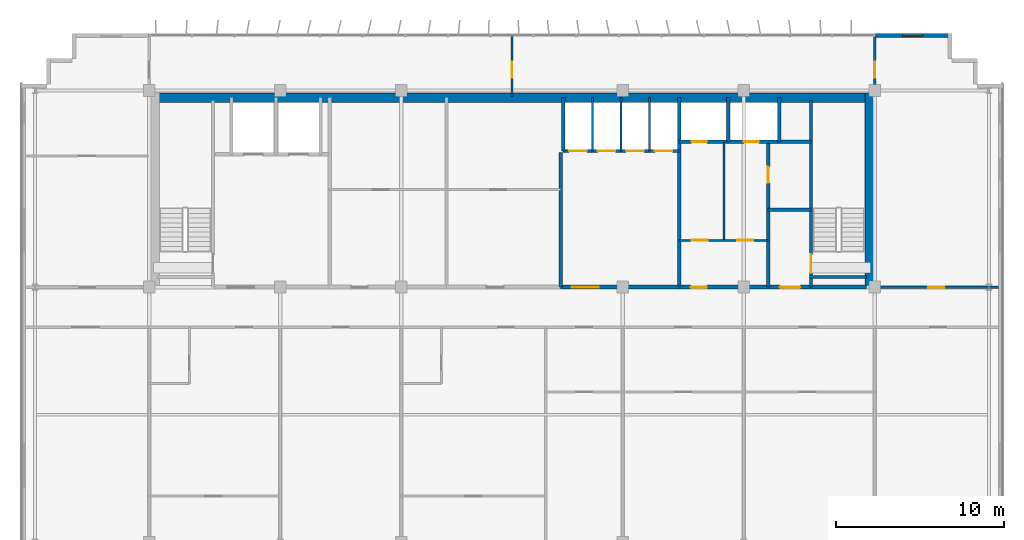
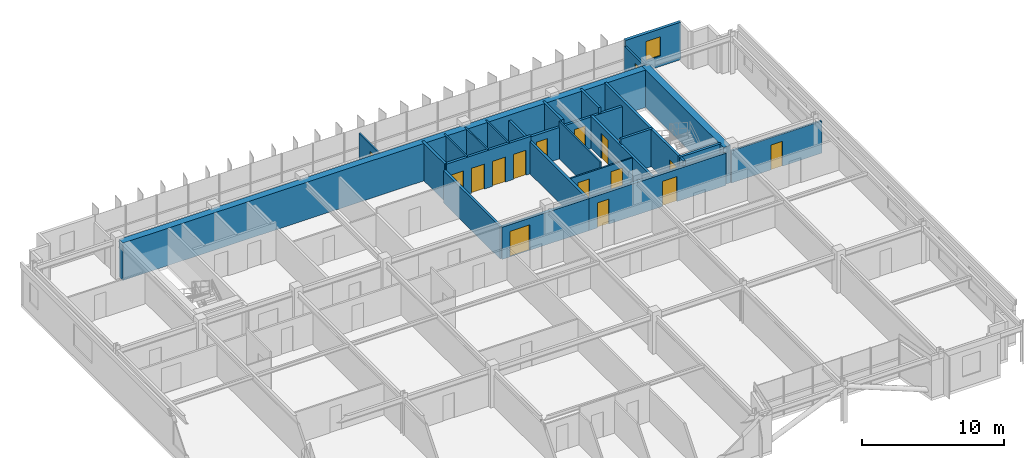
# One storey, part 24 of 27: 24 walls, 16 doors, 1 window, 17 openings.
"""IFC4 building model written with IfcOpenShell, lengths in metres."""

from ifc_helpers import new_model, si_unit, direction, frame, frame_2d, origin, place, context, subcontext, project, spatial, rectangle, extrude, source, transform, mapped, material, layer, layer_set, type_object, element, fill, save


model = new_model("IFC4")

# Units and contexts
model_context = context("Model", 3, precision=1e-05, world=origin(), true_north=direction((0.0, 1.0)))
body_context = subcontext(model_context, "Body", "Model", "MODEL_VIEW")
ifc_project = project(units=[si_unit("LENGTHUNIT", "METRE"), si_unit("AREAUNIT", "SQUARE_METRE"), si_unit("VOLUMEUNIT", "CUBIC_METRE"), si_unit("PLANEANGLEUNIT", "RADIAN"), si_unit("MASSUNIT", "GRAM", prefix="KILO")], contexts=[model_context])

# Site, building, storey
site_placement = place(None, origin())
site = spatial("IfcSite", under=ifc_project, at=site_placement, CompositionType="ELEMENT")
building_placement = place(site_placement, origin())
building = spatial("IfcBuilding", under=site, at=building_placement, Name="Trelvane Seafront Commons", CompositionType="ELEMENT")
storey_placement = place(building_placement, frame((0.0, 0.0, 237.300048828125)))
storey = spatial("IfcBuildingStorey", under=building, at=storey_placement, Name="L62", CompositionType="ELEMENT", Elevation=237.300048828125)

# Wall, opening, window
ifc_material_1 = material(Name="Precast concrete C40/50", Category="concrete")
ifc_layer_1 = layer(ifc_material_1, 0.239990234375, Name="ARCH-WALL-EXT240")
ifc_layer_set_1 = layer_set([ifc_layer_1], Name="Precast concrete C40/50")
wall_type_1 = type_object("IfcWallType", Name="ARCH-WALL-EXT240", PredefinedType="SOLIDWALL", material=ifc_layer_set_1)
wall_1_placement = place(storey_placement, frame((58.800048828125, 48.3701171875, 0.0), z_axis=(0.0, 0.0, 1.0), x_axis=(1.0, 0.0, 0.0)))
wall_1 = element("IfcWall", 1, at=wall_1_placement, inside=storey, type_object=wall_type_1, Name="EW-L62-NE-1254", PredefinedType="SOLIDWALL", context=body_context, shape_type="SweptSolid", body=[
    extrude(rectangle(XDim=4.5, YDim=0.239990234375, at=frame_2d((2.25, 0.0))), origin(), (0.0, 0.0, 1.0), 3.219970703125),
])
opening_1_placement = place(wall_1_placement, frame((1.64990234375, 0.0, 0.89990234375)))
opening_1 = element("IfcOpeningElement", 2, at=opening_1_placement, cuts=wall_1, Name="Opening W05", PredefinedType="OPENING", context=body_context, shape_type="SweptSolid", body=[
    extrude(rectangle(XDim=1.199951171875, YDim=1.64990234375, at=frame_2d((0.60009765625, 0.824951171875))), frame((0.0, 0.1298828125, 0.0), z_axis=(0.0, -1.0, 0.0), x_axis=(1.0, 0.0, 0.0)), (0.0, 0.0, 1.0), 0.260009765625),
])
ifc_material_2 = material(Name="Low-E coastal double glazing", Category="glass")
window_type = type_object("IfcWindowType", Name="ARCH-WIN-W05", PartitioningType="SINGLE_PANEL", PredefinedType="WINDOW", material=ifc_material_2)
shared_shape_1 = source(origin(), body_context, "Body", "SweptSolid", [
    extrude(rectangle(XDim=1.199951171875, YDim=1.64990234375, at=frame_2d((0.60009765625, 0.824951171875))), frame((0.0, 0.030029296875, 0.0), z_axis=(0.0, -1.0, 0.0), x_axis=(1.0, 0.0, 0.0)), (0.0, 0.0, 1.0), 0.06005859375),
])
window_placement = place(opening_1_placement, origin())
window = element("IfcWindow", 3, at=window_placement, inside=storey, type_object=window_type, Name="WIN-L62-01512", OverallHeight=1.64990234375, OverallWidth=1.199951171875, PartitioningType="SINGLE_PANEL", PredefinedType="WINDOW", context=body_context, shape_type="MappedRepresentation", body=[
    mapped(shared_shape_1, transform((0.0, 0.0, 0.0), x_axis=(1.0, 0.0, 0.0), y_axis=(0.0, 1.0, 0.0), z_axis=(0.0, 0.0, 1.0), scale=1.0)),
])
fill(opening_1, window)

# Wall, opening, door
ifc_material_3 = material(Name="Concrete C40/50", Category="concrete")
ifc_layer_2 = layer(ifc_material_3, 0.199951171875, Name="ARCH-WALL-FIRE200")
ifc_layer_set_2 = layer_set([ifc_layer_2], Name="Concrete C40/50")
wall_type_2 = type_object("IfcWallType", Name="ARCH-WALL-FIRE200", PredefinedType="PARTITIONING", material=ifc_layer_set_2)
wall_2_placement = place(storey_placement, frame((52.449951171875, 33.39990234375, 0.0), z_axis=(0.0, 0.0, 1.0), x_axis=(0.0, 1.0, 0.0)))
wall_2 = element("IfcWall", 4, at=wall_2_placement, inside=storey, type_object=wall_type_2, Name="W-L62-ST2V-W-030", PredefinedType="PARTITIONING", context=body_context, shape_type="SweptSolid", body=[
    extrude(rectangle(XDim=8.650146484375, YDim=0.199951171875, at=frame_2d((4.3251953125, 0.0))), origin(), (0.0, 0.0, 1.0), 2.77001953125),
])
opening_2_placement = place(wall_2_placement, frame((6.199951171875, 0.0, 0.0)))
opening_2 = element("IfcOpeningElement", 5, at=opening_2_placement, cuts=wall_2, Name="Opening FD-L62-17", PredefinedType="OPENING", context=body_context, shape_type="SweptSolid", body=[
    extrude(rectangle(XDim=0.949951171875, YDim=2.14990234375, at=frame_2d((0.47509765625, 1.074951171875))), frame((0.0, 0.10986328125, 0.0), z_axis=(0.0, -1.0, 0.0), x_axis=(1.0, 0.0, 0.0)), (0.0, 0.0, 1.0), 0.219970703125),
])
ifc_material_4 = material(Name="Powder-coated aluminium frame", Category="aluminium")
door_type_1 = type_object("IfcDoorType", Name="ARCH-DR-FD60-950", OperationType="NOTDEFINED", PredefinedType="DOOR", material=ifc_material_4)
shared_shape_2 = source(origin(), body_context, "Body", "SweptSolid", [
    extrude(rectangle(XDim=0.949951171875, YDim=2.14990234375, at=frame_2d((0.47509765625, 1.074951171875))), frame((0.0, 0.02490234375, 0.0), z_axis=(0.0, -1.0, 0.0), x_axis=(1.0, 0.0, 0.0)), (0.0, 0.0, 1.0), 0.050048828125),
])
door_1_placement = place(opening_2_placement, origin())
door_1 = element("IfcDoor", 6, at=door_1_placement, inside=storey, type_object=door_type_1, Name="L62 Cleaner Store Door", OperationType="SINGLE_SWING_LEFT", OverallHeight=2.14990234375, OverallWidth=0.949951171875, PredefinedType="DOOR", context=body_context, shape_type="MappedRepresentation", body=[
    mapped(shared_shape_2, transform((0.0, 0.0, 0.0), x_axis=(1.0, 0.0, 0.0), y_axis=(0.0, 1.0, 0.0), z_axis=(0.0, 0.0, 1.0), scale=1.0)),
])
fill(opening_2, door_1)

# Wall
wall_3_placement = place(storey_placement, frame((52.449951171875, 38.0, 0.0), z_axis=(0.0, 0.0, 1.0), x_axis=(1.0, 0.0, 0.0)))
element("IfcWall", 7, at=wall_3_placement, inside=storey, type_object=wall_type_2, Name="W-L62-ST2V-N-031", PredefinedType="PARTITIONING", context=body_context, shape_type="SweptSolid", body=[
    extrude(rectangle(XDim=2.550048828125, YDim=0.199951171875, at=frame_2d((1.27490234375, 0.0))), origin(), (0.0, 0.0, 1.0), 3.219970703125),
])

# Wall, opening, door
ifc_layer_3 = layer(ifc_material_3, 0.25, Name="ARCH-WALL-FIRE250")
ifc_layer_set_3 = layer_set([ifc_layer_3], Name="Concrete C40/50")
wall_type_3 = type_object("IfcWallType", Name="ARCH-WALL-FIRE250", PredefinedType="PARTITIONING", material=ifc_layer_set_3)
wall_4_placement = place(storey_placement, frame((40.10009765625, 33.39990234375, 0.0), z_axis=(0.0, 0.0, 1.0), x_axis=(1.0, 0.0, 0.0)))
wall_4 = element("IfcWall", 8, at=wall_4_placement, inside=storey, type_object=wall_type_3, Name="W-L62-CS-PAX-026", PredefinedType="PARTITIONING", context=body_context, shape_type="SweptSolid", body=[
    extrude(rectangle(XDim=7.0498046875, YDim=0.25, at=frame_2d((3.52490234375, 0.0))), origin(), (0.0, 0.0, 1.0), 2.77001953125),
])
opening_3_placement = place(wall_4_placement, frame((0.64990234375, 0.0, 0.0)))
opening_3 = element("IfcOpeningElement", 9, at=opening_3_placement, cuts=wall_4, Name="Opening FD-L62-14", PredefinedType="OPENING", context=body_context, shape_type="SweptSolid", body=[
    extrude(rectangle(XDim=1.60009765625, YDim=2.199951171875, at=frame_2d((0.800048828125, 1.10009765625))), frame((0.0, 0.135009765625, 0.0), z_axis=(0.0, -1.0, 0.0), x_axis=(1.0, 0.0, 0.0)), (0.0, 0.0, 1.0), 0.27001953125),
])
door_type_2 = type_object("IfcDoorType", Name="ARCH-DR-FD60-1600", OperationType="DOUBLE_DOOR_SINGLE_SWING", PredefinedType="DOOR", material=ifc_material_4)
shared_shape_3 = source(origin(), body_context, "Body", "SweptSolid", [
    extrude(rectangle(XDim=1.60009765625, YDim=2.199951171875, at=frame_2d((0.800048828125, 1.10009765625))), frame((0.0, 0.02490234375, 0.0), z_axis=(0.0, -1.0, 0.0), x_axis=(1.0, 0.0, 0.0)), (0.0, 0.0, 1.0), 0.050048828125),
])
door_2_placement = place(opening_3_placement, origin())
door_2 = element("IfcDoor", 10, at=door_2_placement, inside=storey, type_object=door_type_2, Name="L62 High-Rise Lift Lobby Double Door", OperationType="DOUBLE_DOOR_SINGLE_SWING", OverallHeight=2.199951171875, OverallWidth=1.60009765625, PredefinedType="DOOR", context=body_context, shape_type="MappedRepresentation", body=[
    mapped(shared_shape_3, transform((0.0, 0.0, 0.0), x_axis=(1.0, 0.0, 0.0), y_axis=(0.0, 1.0, 0.0), z_axis=(0.0, 0.0, 1.0), scale=1.0)),
])
fill(opening_3, door_2)

# Wall, openings, doors
wall_5_placement = place(storey_placement, frame((47.14990234375, 33.39990234375, 0.0), z_axis=(0.0, 0.0, 1.0), x_axis=(1.0, 0.0, 0.0)))
wall_5 = element("IfcWall", 11, at=wall_5_placement, inside=storey, type_object=wall_type_3, Name="W-L62-CS-EAST-034", PredefinedType="PARTITIONING", context=body_context, shape_type="SweptSolid", body=[
    extrude(rectangle(XDim=11.150146484375, YDim=0.25, at=frame_2d((5.5751953125, 0.0))), origin(), (0.0, 0.0, 1.0), 2.77001953125),
])
opening_4_placement = place(wall_5_placement, frame((0.699951171875, 0.0, 0.0)))
opening_4 = element("IfcOpeningElement", 12, at=opening_4_placement, cuts=wall_5, Name="Opening FD-L62-20", PredefinedType="OPENING", context=body_context, shape_type="SweptSolid", body=[
    extrude(rectangle(XDim=0.949951171875, YDim=2.14990234375, at=frame_2d((0.47509765625, 1.074951171875))), frame((0.0, 0.135009765625, 0.0), z_axis=(0.0, -1.0, 0.0), x_axis=(1.0, 0.0, 0.0)), (0.0, 0.0, 1.0), 0.27001953125),
])
opening_5_placement = place(wall_5_placement, frame((6.0, 0.0, 0.0)))
opening_5 = element("IfcOpeningElement", 13, at=opening_5_placement, cuts=wall_5, Name="Opening FD-L62-21", PredefinedType="OPENING", context=body_context, shape_type="SweptSolid", body=[
    extrude(rectangle(XDim=1.199951171875, YDim=2.14990234375, at=frame_2d((0.60009765625, 1.074951171875))), frame((0.0, 0.135009765625, 0.0), z_axis=(0.0, -1.0, 0.0), x_axis=(1.0, 0.0, 0.0)), (0.0, 0.0, 1.0), 0.27001953125),
])
door_3_placement = place(opening_4_placement, origin())
door_3 = element("IfcDoor", 14, at=door_3_placement, inside=storey, type_object=door_type_1, Name="L62 Core Service Lobby Door", OperationType="SINGLE_SWING_RIGHT", OverallHeight=2.14990234375, OverallWidth=0.949951171875, PredefinedType="DOOR", context=body_context, shape_type="MappedRepresentation", body=[
    mapped(shared_shape_2, transform((0.0, 0.0, 0.0), x_axis=(1.0, 0.0, 0.0), y_axis=(0.0, 1.0, 0.0), z_axis=(0.0, 0.0, 1.0), scale=1.0)),
])
fill(opening_4, door_3)
door_type_3 = type_object("IfcDoorType", Name="ARCH-DR-FD60-1200", OperationType="NOTDEFINED", PredefinedType="DOOR", material=ifc_material_4)
shared_shape_4 = source(origin(), body_context, "Body", "SweptSolid", [
    extrude(rectangle(XDim=1.199951171875, YDim=2.14990234375, at=frame_2d((0.60009765625, 1.074951171875))), frame((0.0, 0.02490234375, 0.0), z_axis=(0.0, -1.0, 0.0), x_axis=(1.0, 0.0, 0.0)), (0.0, 0.0, 1.0), 0.050048828125),
])
door_4_placement = place(opening_5_placement, origin())
door_4 = element("IfcDoor", 15, at=door_4_placement, inside=storey, type_object=door_type_3, Name="L62 East Stair Vestibule Fire Door", OperationType="SINGLE_SWING_LEFT", OverallHeight=2.14990234375, OverallWidth=1.199951171875, PredefinedType="DOOR", context=body_context, shape_type="MappedRepresentation", body=[
    mapped(shared_shape_4, transform((0.0, 0.0, 0.0), x_axis=(1.0, 0.0, 0.0), y_axis=(0.0, 1.0, 0.0), z_axis=(0.0, 0.0, 1.0), scale=1.0)),
])
fill(opening_5, door_4)

# Walls
ifc_material_5 = material(Name="Gypsum Drywall Acoustic Partition")
ifc_layer_4 = layer(ifc_material_5, 0.1201171875, Name="ARCH-WALL-PART120")
ifc_layer_set_4 = layer_set([ifc_layer_4], Name="Gypsum Drywall Acoustic Partition")
wall_type_4 = type_object("IfcWallType", Name="ARCH-WALL-PART120", PredefinedType="PARTITIONING", material=ifc_layer_set_4)
for number, where, z_axis, x_axis, name in (
    (16, (42.0, 41.5, 0.0), (0.0, 0.0, 1.0), (0.0, 1.0, 0.0), "W-L62-PH-DIV1-020"),
    (17, (43.699951171875, 41.5, 0.0), (0.0, 0.0, 1.0), (0.0, 1.0, 0.0), "W-L62-PH-DIV2-021"),
    (18, (45.39990234375, 41.5, 0.0), (0.0, 0.0, 1.0), (0.0, 1.0, 0.0), "W-L62-PH-DIV3-022"),
):
    element("IfcWall", number, at=place(storey_placement, frame(where, z_axis=z_axis, x_axis=x_axis)), inside=storey, type_object=wall_type_4, Name=name, PredefinedType="PARTITIONING", context=body_context, shape_type="SweptSolid", body=[
        extrude(rectangle(XDim=3.199951171875, YDim=0.1201171875, at=frame_2d((1.60009765625, 0.0))), origin(), (0.0, 0.0, 1.0), 3.219970703125),
    ])

# Wall, openings, doors
wall_6_placement = place(storey_placement, frame((47.14990234375, 36.179931640625, 0.0), z_axis=(0.0, 0.0, 1.0), x_axis=(1.0, 0.0, 0.0)))
wall_6 = element("IfcWall", 19, at=wall_6_placement, inside=storey, type_object=wall_type_4, Name="W-L62-CYC1-H-032", PredefinedType="PARTITIONING", context=body_context, shape_type="SweptSolid", body=[
    extrude(rectangle(XDim=5.300048828125, YDim=0.1201171875, at=frame_2d((2.64990234375, 0.0))), origin(), (0.0, 0.0, 1.0), 2.719970703125),
])
opening_6_placement = place(wall_6_placement, frame((0.75, 0.0, 0.0)))
opening_6 = element("IfcOpeningElement", 20, at=opening_6_placement, cuts=wall_6, Name="Opening D-L62-18", PredefinedType="OPENING", context=body_context, shape_type="SweptSolid", body=[
    extrude(rectangle(XDim=0.949951171875, YDim=2.14990234375, at=frame_2d((0.47509765625, 1.074951171875))), frame((0.0, 0.070068359375, 0.0), z_axis=(0.0, -1.0, 0.0), x_axis=(1.0, 0.0, 0.0)), (0.0, 0.0, 1.0), 0.14013671875),
])
opening_7_placement = place(wall_6_placement, frame((3.449951171875, 0.0, 0.0)))
opening_7 = element("IfcOpeningElement", 21, at=opening_7_placement, cuts=wall_6, Name="Opening D-L62-19", PredefinedType="OPENING", context=body_context, shape_type="SweptSolid", body=[
    extrude(rectangle(XDim=0.949951171875, YDim=2.14990234375, at=frame_2d((0.47509765625, 1.074951171875))), frame((0.0, 0.070068359375, 0.0), z_axis=(0.0, -1.0, 0.0), x_axis=(1.0, 0.0, 0.0)), (0.0, 0.0, 1.0), 0.14013671875),
])
ifc_material_6 = material(Name="Acoustic timber door leaf", Category="wood")
door_type_4 = type_object("IfcDoorType", Name="ARCH-DR-INT950", OperationType="NOTDEFINED", PredefinedType="DOOR", material=ifc_material_6)
door_5_placement = place(opening_6_placement, origin())
door_5 = element("IfcDoor", 22, at=door_5_placement, inside=storey, type_object=door_type_4, Name="L62 Accessible WC Door", OperationType="SINGLE_SWING_RIGHT", OverallHeight=2.14990234375, OverallWidth=0.949951171875, PredefinedType="DOOR", context=body_context, shape_type="MappedRepresentation", body=[
    mapped(shared_shape_2, transform((0.0, 0.0, 0.0), x_axis=(1.0, 0.0, 0.0), y_axis=(0.0, 1.0, 0.0), z_axis=(0.0, 0.0, 1.0), scale=1.0)),
])
fill(opening_6, door_5)
door_6_placement = place(opening_7_placement, origin())
door_6 = element("IfcDoor", 23, at=door_6_placement, inside=storey, type_object=door_type_4, Name="L62 BMS Room Door", OperationType="SINGLE_SWING_LEFT", OverallHeight=2.14990234375, OverallWidth=0.949951171875, PredefinedType="DOOR", context=body_context, shape_type="MappedRepresentation", body=[
    mapped(shared_shape_2, transform((0.0, 0.0, 0.0), x_axis=(1.0, 0.0, 0.0), y_axis=(0.0, 1.0, 0.0), z_axis=(0.0, 0.0, 1.0), scale=1.0)),
])
fill(opening_7, door_6)

# Wall
wall_7_placement = place(storey_placement, frame((49.820068359375, 36.179931640625, 0.0), z_axis=(0.0, 0.0, 1.0), x_axis=(0.0, 1.0, 0.0)))
element("IfcWall", 24, at=wall_7_placement, inside=storey, type_object=wall_type_4, Name="W-L62-CYC1-V-033", PredefinedType="PARTITIONING", context=body_context, shape_type="SweptSolid", body=[
    extrude(rectangle(XDim=5.820068359375, YDim=0.1201171875, at=frame_2d((2.91015625, 0.0))), origin(), (0.0, 0.0, 1.0), 3.219970703125),
])

# Wall, opening, door
wall_8_placement = place(storey_placement, frame((37.199951171875, 44.75, 0.0), z_axis=(0.0, 0.0, 1.0), x_axis=(0.0, 1.0, 0.0)))
wall_8 = element("IfcWall", 25, at=wall_8_placement, inside=storey, type_object=wall_type_4, Name="W-L62-N-MID-DV-038", PredefinedType="PARTITIONING", context=body_context, shape_type="SweptSolid", body=[
    extrude(rectangle(XDim=3.610107421875, YDim=0.1201171875, at=frame_2d((1.80517578125, 0.0))), origin(), (0.0, 0.0, 1.0), 2.77001953125),
])
opening_8_placement = place(wall_8_placement, frame((1.10009765625, 0.0, 0.0)))
opening_8 = element("IfcOpeningElement", 26, at=opening_8_placement, cuts=wall_8, Name="Opening D-L62-25", PredefinedType="OPENING", context=body_context, shape_type="SweptSolid", body=[
    extrude(rectangle(XDim=0.949951171875, YDim=2.14990234375, at=frame_2d((0.47509765625, 1.074951171875))), frame((0.0, 0.070068359375, 0.0), z_axis=(0.0, -1.0, 0.0), x_axis=(1.0, 0.0, 0.0)), (0.0, 0.0, 1.0), 0.14013671875),
])
door_7_placement = place(opening_8_placement, origin())
door_7 = element("IfcDoor", 27, at=door_7_placement, inside=storey, type_object=door_type_4, Name="L62 Door 25", OperationType="SINGLE_SWING_LEFT", OverallHeight=2.14990234375, OverallWidth=0.949951171875, PredefinedType="DOOR", context=body_context, shape_type="MappedRepresentation", body=[
    mapped(shared_shape_2, transform((0.0, 0.0, 0.0), x_axis=(1.0, 0.0, 0.0), y_axis=(0.0, 1.0, 0.0), z_axis=(0.0, 0.0, 1.0), scale=1.0)),
])
fill(opening_8, door_7)

ifc_layer_5 = layer(ifc_material_5, 0.14990234375, Name="ARCH-WALL-PART150")
ifc_layer_set_5 = layer_set([ifc_layer_5], Name="Gypsum Drywall Acoustic Partition")
wall_type_5 = type_object("IfcWallType", Name="ARCH-WALL-PART150", PredefinedType="PARTITIONING", material=ifc_layer_set_5)
wall_9_placement = place(storey_placement, frame((58.800048828125, 33.39990234375, 0.0), z_axis=(0.0, 0.0, 1.0), x_axis=(1.0, 0.0, 0.0)))
wall_9 = element("IfcWall", 28, at=wall_9_placement, inside=storey, type_object=wall_type_5, Name="W-L62-NE-ENT-037", PredefinedType="PARTITIONING", context=body_context, shape_type="SweptSolid", body=[
    extrude(rectangle(XDim=7.349853515625, YDim=0.14990234375, at=frame_2d((3.6748046875, 0.0))), origin(), (0.0, 0.0, 1.0), 2.77001953125),
])
opening_9_placement = place(wall_9_placement, frame((3.19189453125, 0.0, 0.0)))
opening_9 = element("IfcOpeningElement", 29, at=opening_9_placement, cuts=wall_9, Name="Opening FD-L62-24", PredefinedType="OPENING", context=body_context, shape_type="SweptSolid", body=[
    extrude(rectangle(XDim=0.949951171875, YDim=2.14990234375, at=frame_2d((0.47509765625, 1.074951171875))), frame((0.0, 0.0849609375, 0.0), z_axis=(0.0, -1.0, 0.0), x_axis=(1.0, 0.0, 0.0)), (0.0, 0.0, 1.0), 0.169921875),
])
door_8_placement = place(opening_9_placement, origin())
door_8 = element("IfcDoor", 30, at=door_8_placement, inside=storey, type_object=door_type_1, Name="L62 NE Suite Entrance Door", OperationType="SINGLE_SWING_RIGHT", OverallHeight=2.14990234375, OverallWidth=0.949951171875, PredefinedType="DOOR", context=body_context, shape_type="MappedRepresentation", body=[
    mapped(shared_shape_2, transform((0.0, 0.0, 0.0), x_axis=(1.0, 0.0, 0.0), y_axis=(0.0, 1.0, 0.0), z_axis=(0.0, 0.0, 1.0), scale=1.0)),
])
fill(opening_9, door_8)

wall_10_placement = place(storey_placement, frame((58.800048828125, 44.75, 0.0), z_axis=(0.0, 0.0, 1.0), x_axis=(0.0, 1.0, 0.0)))
wall_10 = element("IfcWall", 31, at=wall_10_placement, inside=storey, type_object=wall_type_5, Name="W-L62-N-LINK-E-040", PredefinedType="PARTITIONING", context=body_context, shape_type="SweptSolid", body=[
    extrude(rectangle(XDim=3.610107421875, YDim=0.14990234375, at=frame_2d((1.80517578125, 0.0))), origin(), (0.0, 0.0, 1.0), 2.719970703125),
])
opening_10_placement = place(wall_10_placement, frame((1.10009765625, 0.0, 0.0)))
opening_10 = element("IfcOpeningElement", 32, at=opening_10_placement, cuts=wall_10, Name="Opening FD-L62-27", PredefinedType="OPENING", context=body_context, shape_type="SweptSolid", body=[
    extrude(rectangle(XDim=0.949951171875, YDim=2.14990234375, at=frame_2d((0.47509765625, 1.074951171875))), frame((0.0, 0.0849609375, 0.0), z_axis=(0.0, -1.0, 0.0), x_axis=(1.0, 0.0, 0.0)), (0.0, 0.0, 1.0), 0.169921875),
])
door_9_placement = place(opening_10_placement, origin())
door_9 = element("IfcDoor", 33, at=door_9_placement, inside=storey, type_object=door_type_1, Name="L62 Door 27", OperationType="SINGLE_SWING_LEFT", OverallHeight=2.14990234375, OverallWidth=0.949951171875, PredefinedType="DOOR", context=body_context, shape_type="MappedRepresentation", body=[
    mapped(shared_shape_2, transform((0.0, 0.0, 0.0), x_axis=(1.0, 0.0, 0.0), y_axis=(0.0, 1.0, 0.0), z_axis=(0.0, 0.0, 1.0), scale=1.0)),
])
fill(opening_10, door_9)

# Wall
ifc_layer_6 = layer(ifc_material_3, 0.199951171875, Name="ARCH-WALL-SHAFT200")
ifc_layer_set_6 = layer_set([ifc_layer_6], Name="Concrete C40/50")
wall_type_6 = type_object("IfcWallType", Name="ARCH-WALL-SHAFT200", PredefinedType="SOLIDWALL", material=ifc_layer_set_6)
wall_11_placement = place(storey_placement, frame((40.10009765625, 33.39990234375, 0.0), z_axis=(0.0, 0.0, 1.0), x_axis=(0.0, 1.0, 0.0)))
element("IfcWall", 34, at=wall_11_placement, inside=storey, type_object=wall_type_6, Name="W-L62-FREED-PM-E-017", PredefinedType="SOLIDWALL", context=body_context, shape_type="SweptSolid", body=[
    extrude(rectangle(XDim=8.0, YDim=0.199951171875, at=frame_2d((4.0, 0.0))), origin(), (0.0, 0.0, 1.0), 2.77001953125),
])

# Wall, openings, doors
wall_12_placement = place(storey_placement, frame((40.25, 41.5, 0.0), z_axis=(0.0, 0.0, 1.0), x_axis=(1.0, 0.0, 0.0)))
wall_12 = element("IfcWall", 35, at=wall_12_placement, inside=storey, type_object=wall_type_6, Name="W-L62-PH-FRONT-018", PredefinedType="SOLIDWALL", context=body_context, shape_type="SweptSolid", body=[
    extrude(rectangle(XDim=6.89990234375, YDim=0.199951171875, at=frame_2d((3.449951171875, 0.0))), origin(), (0.0, 0.0, 1.0), 3.219970703125),
])
opening_11_placement = place(wall_12_placement, frame((0.35009765625, 0.0, 0.0)))
opening_11 = element("IfcOpeningElement", 36, at=opening_11_placement, cuts=wall_12, Name="Opening LD-PH1-L62", PredefinedType="OPENING", context=body_context, shape_type="SweptSolid", body=[
    extrude(rectangle(XDim=1.050048828125, YDim=2.14990234375, at=frame_2d((0.52490234375, 1.074951171875))), frame((0.0, 0.10986328125, 0.0), z_axis=(0.0, -1.0, 0.0), x_axis=(1.0, 0.0, 0.0)), (0.0, 0.0, 1.0), 0.219970703125),
])
opening_12_placement = place(wall_12_placement, frame((2.050048828125, 0.0, 0.0)))
opening_12 = element("IfcOpeningElement", 37, at=opening_12_placement, cuts=wall_12, Name="Opening LD-PH2-L62", PredefinedType="OPENING", context=body_context, shape_type="SweptSolid", body=[
    extrude(rectangle(XDim=1.050048828125, YDim=2.14990234375, at=frame_2d((0.52490234375, 1.074951171875))), frame((0.0, 0.10986328125, 0.0), z_axis=(0.0, -1.0, 0.0), x_axis=(1.0, 0.0, 0.0)), (0.0, 0.0, 1.0), 0.219970703125),
])
opening_13_placement = place(wall_12_placement, frame((3.75, 0.0, 0.0)))
opening_13 = element("IfcOpeningElement", 38, at=opening_13_placement, cuts=wall_12, Name="Opening LD-PH3-L62", PredefinedType="OPENING", context=body_context, shape_type="SweptSolid", body=[
    extrude(rectangle(XDim=1.050048828125, YDim=2.14990234375, at=frame_2d((0.52490234375, 1.074951171875))), frame((0.0, 0.10986328125, 0.0), z_axis=(0.0, -1.0, 0.0), x_axis=(1.0, 0.0, 0.0)), (0.0, 0.0, 1.0), 0.219970703125),
])
opening_14_placement = place(wall_12_placement, frame((5.449951171875, 0.0, 0.0)))
opening_14 = element("IfcOpeningElement", 39, at=opening_14_placement, cuts=wall_12, Name="Opening LD-PH4-L62", PredefinedType="OPENING", context=body_context, shape_type="SweptSolid", body=[
    extrude(rectangle(XDim=1.050048828125, YDim=2.14990234375, at=frame_2d((0.52490234375, 1.074951171875))), frame((0.0, 0.10986328125, 0.0), z_axis=(0.0, -1.0, 0.0), x_axis=(1.0, 0.0, 0.0)), (0.0, 0.0, 1.0), 0.219970703125),
])
ifc_material_7 = material(Name="Stainless steel balustrade", Category="steel")
door_type_5 = type_object("IfcDoorType", Name="ARCH-DR-LD1050", OperationType="DOUBLE_DOOR_SLIDING", PredefinedType="DOOR", material=ifc_material_7)
shared_shape_5 = source(origin(), body_context, "Body", "SweptSolid", [
    extrude(rectangle(XDim=1.050048828125, YDim=2.14990234375, at=frame_2d((0.52490234375, 1.074951171875))), frame((0.0, 0.02490234375, 0.0), z_axis=(0.0, -1.0, 0.0), x_axis=(1.0, 0.0, 0.0)), (0.0, 0.0, 1.0), 0.050048828125),
])
door_10_placement = place(opening_11_placement, origin())
door_10 = element("IfcDoor", 40, at=door_10_placement, inside=storey, type_object=door_type_5, Name="L62 Passenger Lift PH-1 Landing Door", OperationType="DOUBLE_DOOR_SLIDING", OverallHeight=2.14990234375, OverallWidth=1.050048828125, PredefinedType="DOOR", context=body_context, shape_type="MappedRepresentation", body=[
    mapped(shared_shape_5, transform((0.0, 0.0, 0.0), x_axis=(1.0, 0.0, 0.0), y_axis=(0.0, 1.0, 0.0), z_axis=(0.0, 0.0, 1.0), scale=1.0)),
])
fill(opening_11, door_10)
door_11_placement = place(opening_12_placement, origin())
door_11 = element("IfcDoor", 41, at=door_11_placement, inside=storey, type_object=door_type_5, Name="L62 Passenger Lift PH-2 Landing Door", OperationType="DOUBLE_DOOR_SLIDING", OverallHeight=2.14990234375, OverallWidth=1.050048828125, PredefinedType="DOOR", context=body_context, shape_type="MappedRepresentation", body=[
    mapped(shared_shape_5, transform((0.0, 0.0, 0.0), x_axis=(1.0, 0.0, 0.0), y_axis=(0.0, 1.0, 0.0), z_axis=(0.0, 0.0, 1.0), scale=1.0)),
])
fill(opening_12, door_11)
door_12_placement = place(opening_13_placement, origin())
door_12 = element("IfcDoor", 42, at=door_12_placement, inside=storey, type_object=door_type_5, Name="L62 Passenger Lift PH-3 Landing Door", OperationType="DOUBLE_DOOR_SLIDING", OverallHeight=2.14990234375, OverallWidth=1.050048828125, PredefinedType="DOOR", context=body_context, shape_type="MappedRepresentation", body=[
    mapped(shared_shape_5, transform((0.0, 0.0, 0.0), x_axis=(1.0, 0.0, 0.0), y_axis=(0.0, 1.0, 0.0), z_axis=(0.0, 0.0, 1.0), scale=1.0)),
])
fill(opening_13, door_12)
door_13_placement = place(opening_14_placement, origin())
door_13 = element("IfcDoor", 43, at=door_13_placement, inside=storey, type_object=door_type_5, Name="L62 Passenger Lift PH-4 Landing Door", OperationType="DOUBLE_DOOR_SLIDING", OverallHeight=2.14990234375, OverallWidth=1.050048828125, PredefinedType="DOOR", context=body_context, shape_type="MappedRepresentation", body=[
    mapped(shared_shape_5, transform((0.0, 0.0, 0.0), x_axis=(1.0, 0.0, 0.0), y_axis=(0.0, 1.0, 0.0), z_axis=(0.0, 0.0, 1.0), scale=1.0)),
])
fill(opening_14, door_13)

# Walls
wall_13_placement = place(storey_placement, frame((40.25, 41.5, 0.0), z_axis=(0.0, 0.0, 1.0), x_axis=(0.0, 1.0, 0.0)))
element("IfcWall", 44, at=wall_13_placement, inside=storey, type_object=wall_type_6, Name="W-L62-PH-WEST-SH-019", PredefinedType="SOLIDWALL", context=body_context, shape_type="SweptSolid", body=[
    extrude(rectangle(XDim=3.199951171875, YDim=0.199951171875, at=frame_2d((1.60009765625, 0.0))), origin(), (0.0, 0.0, 1.0), 3.219970703125),
])
wall_14_placement = place(storey_placement, frame((47.14990234375, 33.39990234375, 0.0), z_axis=(0.0, 0.0, 1.0), x_axis=(0.0, 1.0, 0.0)))
element("IfcWall", 45, at=wall_14_placement, inside=storey, type_object=wall_type_6, Name="W-L62-PH-EAST-023", PredefinedType="SOLIDWALL", context=body_context, shape_type="SweptSolid", body=[
    extrude(rectangle(XDim=11.300048828125, YDim=0.199951171875, at=frame_2d((5.64990234375, 0.0))), origin(), (0.0, 0.0, 1.0), 2.77001953125),
])

# Wall, openings, doors
wall_15_placement = place(storey_placement, frame((47.14990234375, 42.050048828125, 0.0), z_axis=(0.0, 0.0, 1.0), x_axis=(1.0, 0.0, 0.0)))
wall_15 = element("IfcWall", 46, at=wall_15_placement, inside=storey, type_object=wall_type_6, Name="W-L62-RSR-S-027", PredefinedType="SOLIDWALL", context=body_context, shape_type="SweptSolid", body=[
    extrude(rectangle(XDim=7.85009765625, YDim=0.199951171875, at=frame_2d((3.925048828125, 0.0))), origin(), (0.0, 0.0, 1.0), 2.719970703125),
])
opening_15_placement = place(wall_15_placement, frame((0.75, 0.0, 0.0)))
opening_15 = element("IfcOpeningElement", 47, at=opening_15_placement, cuts=wall_15, Name="Opening FD-L62-15", PredefinedType="OPENING", context=body_context, shape_type="SweptSolid", body=[
    extrude(rectangle(XDim=0.89990234375, YDim=2.10009765625, at=frame_2d((0.449951171875, 1.050048828125))), frame((0.0, 0.10986328125, 0.0), z_axis=(0.0, -1.0, 0.0), x_axis=(1.0, 0.0, 0.0)), (0.0, 0.0, 1.0), 0.219970703125),
])
opening_16_placement = place(wall_15_placement, frame((3.85009765625, 0.0, 0.0)))
opening_16 = element("IfcOpeningElement", 48, at=opening_16_placement, cuts=wall_15, Name="Opening FD-L62-16", PredefinedType="OPENING", context=body_context, shape_type="SweptSolid", body=[
    extrude(rectangle(XDim=0.89990234375, YDim=2.10009765625, at=frame_2d((0.449951171875, 1.050048828125))), frame((0.0, 0.10986328125, 0.0), z_axis=(0.0, -1.0, 0.0), x_axis=(1.0, 0.0, 0.0)), (0.0, 0.0, 1.0), 0.219970703125),
])
door_type_6 = type_object("IfcDoorType", Name="ARCH-DR-FD60-900", OperationType="NOTDEFINED", PredefinedType="DOOR", material=ifc_material_4)
shared_shape_6 = source(origin(), body_context, "Body", "SweptSolid", [
    extrude(rectangle(XDim=0.89990234375, YDim=2.10009765625, at=frame_2d((0.449951171875, 1.050048828125))), frame((0.0, 0.02490234375, 0.0), z_axis=(0.0, -1.0, 0.0), x_axis=(1.0, 0.0, 0.0)), (0.0, 0.0, 1.0), 0.050048828125),
])
door_14_placement = place(opening_15_placement, origin())
door_14 = element("IfcDoor", 49, at=door_14_placement, inside=storey, type_object=door_type_6, Name="L62 Electrical Riser Access Door", OperationType="SINGLE_SWING_LEFT", OverallHeight=2.10009765625, OverallWidth=0.89990234375, PredefinedType="DOOR", context=body_context, shape_type="MappedRepresentation", body=[
    mapped(shared_shape_6, transform((0.0, 0.0, 0.0), x_axis=(1.0, 0.0, 0.0), y_axis=(0.0, 1.0, 0.0), z_axis=(0.0, 0.0, 1.0), scale=1.0)),
])
fill(opening_15, door_14)
door_15_placement = place(opening_16_placement, origin())
door_15 = element("IfcDoor", 50, at=door_15_placement, inside=storey, type_object=door_type_6, Name="L62 Mechanical Riser Access Door", OperationType="SINGLE_SWING_RIGHT", OverallHeight=2.10009765625, OverallWidth=0.89990234375, PredefinedType="DOOR", context=body_context, shape_type="MappedRepresentation", body=[
    mapped(shared_shape_6, transform((0.0, 0.0, 0.0), x_axis=(1.0, 0.0, 0.0), y_axis=(0.0, 1.0, 0.0), z_axis=(0.0, 0.0, 1.0), scale=1.0)),
])
fill(opening_16, door_15)

# Walls
for number, where, z_axis, x_axis, name in (
    (51, (50.080078125, 42.050048828125, 0.0), (0.0, 0.0, 1.0), (0.0, 1.0, 0.0), "W-L62-RSR-DIV-028"),
    (52, (53.10009765625, 42.050048828125, 0.0), (0.0, 0.0, 1.0), (0.0, 1.0, 0.0), "W-L62-RSR-E-029"),
):
    element("IfcWall", number, at=place(storey_placement, frame(where, z_axis=z_axis, x_axis=x_axis)), inside=storey, type_object=wall_type_6, Name=name, PredefinedType="SOLIDWALL", context=body_context, shape_type="SweptSolid", body=[
        extrude(rectangle(XDim=2.64990234375, YDim=0.199951171875, at=frame_2d((1.324951171875, 0.0))), origin(), (0.0, 0.0, 1.0), 3.219970703125),
    ])
ifc_material_8 = material(Name="Concrete C50/60", Category="concrete")
ifc_layer_7 = layer(ifc_material_8, 0.550048828125, Name="STR-WALL-CORE550")
ifc_layer_set_7 = layer_set([ifc_layer_7], Name="Concrete C50/60")
wall_type_7 = type_object("IfcWallType", Name="STR-WALL-CORE550", PredefinedType="SHEAR", material=ifc_layer_set_7)
wall_16_placement = place(storey_placement, frame((15.64990234375, 44.675048828125, 0.0), z_axis=(0.0, 0.0, 1.0), x_axis=(1.0, 0.0, 0.0)))
element("IfcWall", 53, at=wall_16_placement, inside=storey, type_object=wall_type_7, Name="W-L62-CN-ALL-001", PredefinedType="SHEAR", context=body_context, shape_type="SweptSolid", body=[
    extrude(rectangle(XDim=43.10009765625, YDim=0.550048828125, at=frame_2d((21.550048828125, 0.0))), origin(), (0.0, 0.0, 1.0), 3.219970703125),
])
wall_17_placement = place(storey_placement, frame((58.47509765625, 33.39990234375, 0.0), z_axis=(0.0, 0.0, 1.0), x_axis=(0.0, 1.0, 0.0)))
element("IfcWall", 54, at=wall_17_placement, inside=storey, type_object=wall_type_7, Name="W-L62-CE-END-003", PredefinedType="SHEAR", context=body_context, shape_type="SweptSolid", body=[
    extrude(rectangle(XDim=11.550048828125, YDim=0.550048828125, at=frame_2d((5.77490234375, 0.0))), origin(), (0.0, 0.0, 1.0), 3.219970703125),
])
ifc_layer_8 = layer(ifc_material_8, 0.199951171875, Name="STR-WALL-STAIR200")
ifc_layer_set_8 = layer_set([ifc_layer_8], Name="Concrete C50/60")
wall_type_8 = type_object("IfcWallType", Name="STR-WALL-STAIR200", PredefinedType="SHEAR", material=ifc_layer_set_8)
wall_18_placement = place(storey_placement, frame((54.89990234375, 34.0, 0.0), z_axis=(0.0, 0.0, 1.0), x_axis=(1.0, 0.0, 0.0)))
element("IfcWall", 55, at=wall_18_placement, inside=storey, type_object=wall_type_8, Name="W-L62-ST2-S-006", PredefinedType="SHEAR", context=body_context, shape_type="SweptSolid", body=[
    extrude(rectangle(XDim=3.400146484375, YDim=0.199951171875, at=frame_2d((1.7001953125, 0.0))), origin(), (0.0, 0.0, 1.0), 3.219970703125),
])

# Wall, opening, door
wall_19_placement = place(storey_placement, frame((55.0, 33.39990234375, 0.0), z_axis=(0.0, 0.0, 1.0), x_axis=(0.0, 1.0, 0.0)))
wall_19 = element("IfcWall", 56, at=wall_19_placement, inside=storey, type_object=wall_type_8, Name="W-L62-ST2-W-007", PredefinedType="SHEAR", context=body_context, shape_type="SweptSolid", body=[
    extrude(rectangle(XDim=11.10009765625, YDim=0.199951171875, at=frame_2d((5.550048828125, 0.0))), origin(), (0.0, 0.0, 1.0), 3.219970703125),
])
opening_17_placement = place(wall_19_placement, frame((0.85009765625, 0.0, 0.0)))
opening_17 = element("IfcOpeningElement", 57, at=opening_17_placement, cuts=wall_19, Name="Opening ST-D2-L62", PredefinedType="OPENING", context=body_context, shape_type="SweptSolid", body=[
    extrude(rectangle(XDim=1.10009765625, YDim=2.14990234375, at=frame_2d((0.550048828125, 1.074951171875))), frame((0.0, 0.10986328125, 0.0), z_axis=(0.0, -1.0, 0.0), x_axis=(1.0, 0.0, 0.0)), (0.0, 0.0, 1.0), 0.219970703125),
])
door_type_7 = type_object("IfcDoorType", Name="ARCH-DR-FD90-1100", OperationType="NOTDEFINED", PredefinedType="DOOR", material=ifc_material_4)
shared_shape_7 = source(origin(), body_context, "Body", "SweptSolid", [
    extrude(rectangle(XDim=1.10009765625, YDim=2.14990234375, at=frame_2d((0.550048828125, 1.074951171875))), frame((0.0, 0.02490234375, 0.0), z_axis=(0.0, -1.0, 0.0), x_axis=(1.0, 0.0, 0.0)), (0.0, 0.0, 1.0), 0.050048828125),
])
door_16_placement = place(opening_17_placement, origin())
door_16 = element("IfcDoor", 58, at=door_16_placement, inside=storey, type_object=door_type_7, Name="L62 Stair ST-2 Vestibule Fire Door", OperationType="SINGLE_SWING_RIGHT", OverallHeight=2.14990234375, OverallWidth=1.10009765625, PredefinedType="DOOR", context=body_context, shape_type="MappedRepresentation", body=[
    mapped(shared_shape_7, transform((0.0, 0.0, 0.0), x_axis=(1.0, 0.0, 0.0), y_axis=(0.0, 1.0, 0.0), z_axis=(0.0, 0.0, 1.0), scale=1.0)),
])
fill(opening_17, door_16)

save(model, "model.ifc")
